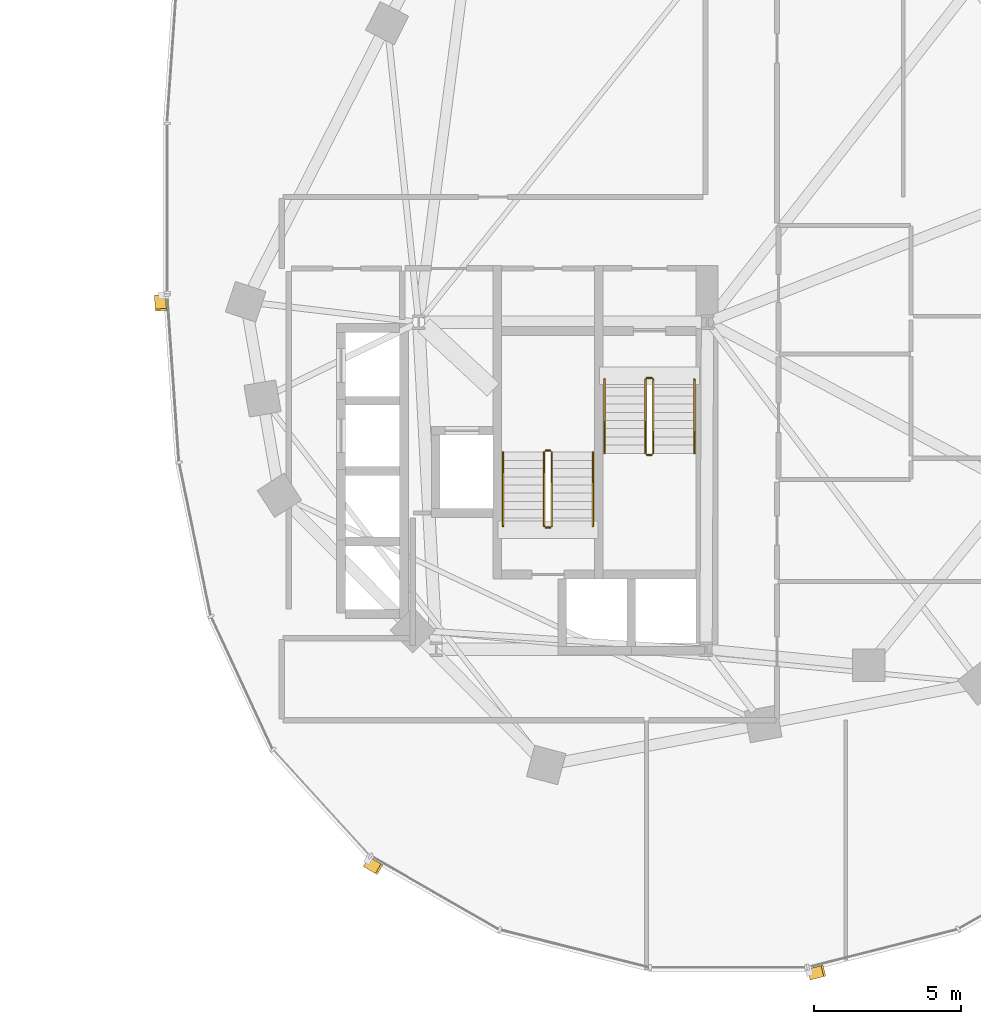
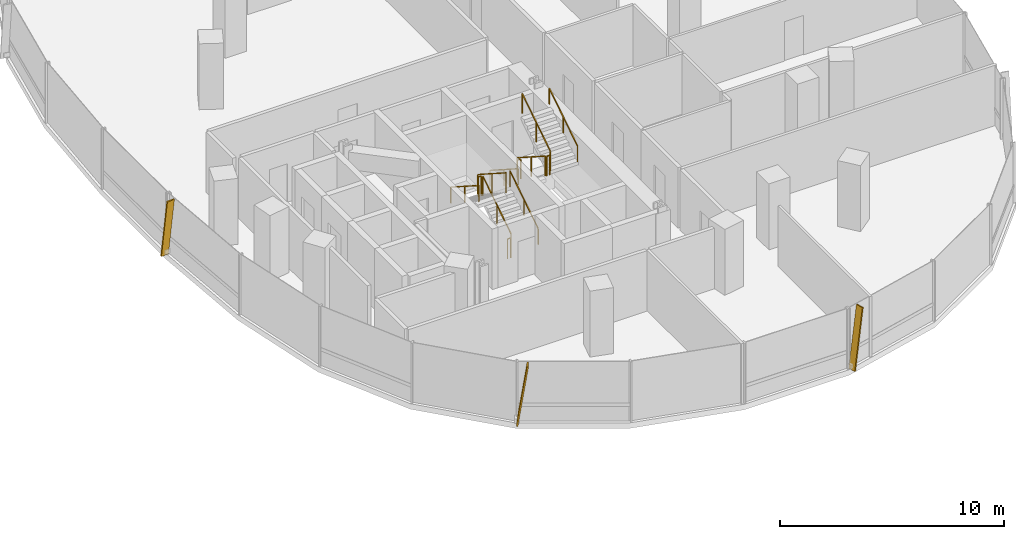
# One storey, part 20 of 21: 12 railings, 3 shading devices.
"""IFC4 building model written with IfcOpenShell, lengths in metres."""

from ifc_helpers import new_model, si_unit, direction, frame, origin, origin_2d, place, context, subcontext, project, spatial, rectangle, extrude, material, material_profile, profile_set, type_object, element, save


model = new_model("IFC4")

# Units and contexts
model_context = context("Model", 3, precision=1e-05, world=origin(), true_north=direction((0.0, 1.0)))
body_context = subcontext(model_context, "Body", "Model", "MODEL_VIEW")
ifc_project = project(units=[si_unit("LENGTHUNIT", "METRE"), si_unit("AREAUNIT", "SQUARE_METRE"), si_unit("VOLUMEUNIT", "CUBIC_METRE"), si_unit("PLANEANGLEUNIT", "RADIAN"), si_unit("MASSUNIT", "GRAM", prefix="KILO"), si_unit("THERMODYNAMICTEMPERATUREUNIT", "KELVIN"), si_unit("POWERUNIT", "WATT")], contexts=[model_context])

# Site, building, storey
site_placement = place(None, origin())
site = spatial("IfcSite", under=ifc_project, at=site_placement, CompositionType="ELEMENT")
building_placement = place(site_placement, origin())
building = spatial("IfcBuilding", under=site, at=building_placement, Name="Cundina Bronze Exchange", CompositionType="ELEMENT")
storey_placement = place(building_placement, frame((0.0, 0.0, 89.0)))
storey = spatial("IfcBuildingStorey", under=building, at=storey_placement, Name="L22", CompositionType="ELEMENT", Elevation=89.0)

# Railings
ifc_material_1 = material(Name="Steel ASTM A36 Painted", Category="steel")
railing_type_1 = type_object("IfcRailingType", Name="RLG-HND-900", PredefinedType="HANDRAIL", material=ifc_material_1)
railing_1_placement = place(storey_placement, frame((27.7900390625, -5.85009765625, 0.179931640625)))
element("IfcRailing", 1, at=railing_1_placement, inside=storey, type_object=railing_type_1, Name="L22 ST-E1 stair handrail 1", PredefinedType="HANDRAIL", context=body_context, shape_type="SweptSolid", body=[
    extrude(rectangle(XDim=0.048095703125, YDim=0.048095703125, at=origin_2d()), frame((0.0, 0.0, 0.8759765625), z_axis=(0.0, -0.841162588446, 0.540782303519), x_axis=(1.0, 0.0, 0.0)), (0.0, 0.0, 1.0), 2.995849609375),
    extrude(rectangle(XDim=0.0419921875, YDim=0.0419921875, at=origin_2d()), origin(), (0.0, 0.0, 1.0), 0.851806640625),
    extrude(rectangle(XDim=0.0419921875, YDim=0.0419921875, at=origin_2d()), frame((0.0, -1.260009765625, 0.81005859375)), (0.0, 0.0, 1.0), 0.851806640625),
    extrude(rectangle(XDim=0.0419921875, YDim=0.0419921875, at=origin_2d()), frame((0.0, -2.52001953125, 1.6201171875)), (0.0, 0.0, 1.0), 0.851806640625),
])
for number, where, name in (
    (2, (30.85009765625, -8.3701171875, 1.97998046875), "L22 ST-E1 stair handrail 2"),
    (3, (27.389892578125, -10.85009765625, 0.179931640625), "L22 ST-E2 stair handrail 1"),
):
    element("IfcRailing", number, at=place(storey_placement, frame(where)), inside=storey, type_object=railing_type_1, Name=name, PredefinedType="HANDRAIL", context=body_context, shape_type="SweptSolid", body=[
        extrude(rectangle(XDim=0.048095703125, YDim=0.048095703125, at=origin_2d()), frame((0.0, 0.0, 0.8759765625), z_axis=(0.0, 0.841162588446, 0.540782303519), x_axis=(-1.0, 0.0, 0.0)), (0.0, 0.0, 1.0), 2.995849609375),
        extrude(rectangle(XDim=0.0419921875, YDim=0.0419921875, at=origin_2d()), origin(), (0.0, 0.0, 1.0), 0.851806640625),
        extrude(rectangle(XDim=0.0419921875, YDim=0.0419921875, at=origin_2d()), frame((0.0, 1.260009765625, 0.81005859375)), (0.0, 0.0, 1.0), 0.851806640625),
        extrude(rectangle(XDim=0.0419921875, YDim=0.0419921875, at=origin_2d()), frame((0.0, 2.52001953125, 1.6201171875)), (0.0, 0.0, 1.0), 0.851806640625),
    ])
railing_2_placement = place(storey_placement, frame((24.330078125, -8.330078125, 1.97998046875)))
element("IfcRailing", 4, at=railing_2_placement, inside=storey, type_object=railing_type_1, Name="L22 ST-E2 stair handrail 2", PredefinedType="HANDRAIL", context=body_context, shape_type="SweptSolid", body=[
    extrude(rectangle(XDim=0.048095703125, YDim=0.048095703125, at=origin_2d()), frame((0.0, 0.0, 0.8759765625), z_axis=(0.0, -0.841162588446, 0.540782303519), x_axis=(1.0, 0.0, 0.0)), (0.0, 0.0, 1.0), 2.995849609375),
    extrude(rectangle(XDim=0.0419921875, YDim=0.0419921875, at=origin_2d()), origin(), (0.0, 0.0, 1.0), 0.851806640625),
    extrude(rectangle(XDim=0.0419921875, YDim=0.0419921875, at=origin_2d()), frame((0.0, -1.260009765625, 0.81005859375)), (0.0, 0.0, 1.0), 0.851806640625),
    extrude(rectangle(XDim=0.0419921875, YDim=0.0419921875, at=origin_2d()), frame((0.0, -2.52001953125, 1.6201171875)), (0.0, 0.0, 1.0), 0.851806640625),
])
railing_type_2 = type_object("IfcRailingType", Name="RLG-STG-1100", PredefinedType="GUARDRAIL", material=ifc_material_1)
railing_3_placement = place(storey_placement, frame((29.18994140625, -5.85009765625, 0.179931640625)))
element("IfcRailing", 5, at=railing_3_placement, inside=storey, type_object=railing_type_2, Name="L22 ST-E1 stair guard 1", PredefinedType="GUARDRAIL", context=body_context, shape_type="SweptSolid", body=[
    extrude(rectangle(XDim=0.048095703125, YDim=0.048095703125, at=origin_2d()), frame((0.0, 0.0, 1.076171875), z_axis=(0.0, -0.841162588446, 0.540782303519), x_axis=(1.0, 0.0, 0.0)), (0.0, 0.0, 1.0), 2.995849609375),
    extrude(rectangle(XDim=0.0419921875, YDim=0.0419921875, at=origin_2d()), origin(), (0.0, 0.0, 1.0), 1.052001953125),
    extrude(rectangle(XDim=0.0419921875, YDim=0.0419921875, at=origin_2d()), frame((0.0, -1.260009765625, 0.81005859375)), (0.0, 0.0, 1.0), 1.052001953125),
    extrude(rectangle(XDim=0.0419921875, YDim=0.0419921875, at=origin_2d()), frame((0.0, -2.52001953125, 1.6201171875)), (0.0, 0.0, 1.0), 1.052001953125),
])
railing_4_placement = place(storey_placement, frame((29.239990234375, -8.419921875, 1.800048828125)))
element("IfcRailing", 6, at=railing_4_placement, inside=storey, type_object=railing_type_2, Name="L22 ST-E1 stair guard 2", PredefinedType="GUARDRAIL", context=body_context, shape_type="SweptSolid", body=[
    extrude(rectangle(XDim=0.048095703125, YDim=0.048095703125, at=origin_2d()), frame((0.0, 0.0, 1.076171875), z_axis=(1.0, 0.0, 0.0), x_axis=(0.0, 1.0, 0.0)), (0.0, 0.0, 1.0), 0.159912109375),
    extrude(rectangle(XDim=0.0419921875, YDim=0.0419921875, at=origin_2d()), origin(), (0.0, 0.0, 1.0), 1.052001953125),
    extrude(rectangle(XDim=0.0419921875, YDim=0.0419921875, at=origin_2d()), frame((0.159912109375, 0.0, 0.0)), (0.0, 0.0, 1.0), 1.052001953125),
])
railing_5_placement = place(storey_placement, frame((29.449951171875, -8.3701171875, 1.97998046875)))
element("IfcRailing", 7, at=railing_5_placement, inside=storey, type_object=railing_type_2, Name="L22 ST-E1 stair guard 3", PredefinedType="GUARDRAIL", context=body_context, shape_type="SweptSolid", body=[
    extrude(rectangle(XDim=0.048095703125, YDim=0.048095703125, at=origin_2d()), frame((0.0, 0.0, 1.076171875), z_axis=(0.0, 0.841162588446, 0.540782303519), x_axis=(-1.0, 0.0, 0.0)), (0.0, 0.0, 1.0), 2.995849609375),
    extrude(rectangle(XDim=0.0419921875, YDim=0.0419921875, at=origin_2d()), origin(), (0.0, 0.0, 1.0), 1.052001953125),
    extrude(rectangle(XDim=0.0419921875, YDim=0.0419921875, at=origin_2d()), frame((0.0, 1.260009765625, 0.81005859375)), (0.0, 0.0, 1.0), 1.052001953125),
    extrude(rectangle(XDim=0.0419921875, YDim=0.0419921875, at=origin_2d()), frame((0.0, 2.52001953125, 1.6201171875)), (0.0, 0.0, 1.0), 1.052001953125),
])
railing_6_placement = place(storey_placement, frame((29.239990234375, -5.800048828125, 0.0)))
element("IfcRailing", 8, at=railing_6_placement, inside=storey, type_object=railing_type_2, Name="L22 ST-E1 stair guard 4", PredefinedType="GUARDRAIL", context=body_context, shape_type="SweptSolid", body=[
    extrude(rectangle(XDim=0.048095703125, YDim=0.048095703125, at=origin_2d()), frame((0.0, 0.0, 1.076171875), z_axis=(1.0, 0.0, 0.0), x_axis=(0.0, 1.0, 0.0)), (0.0, 0.0, 1.0), 0.159912109375),
    extrude(rectangle(XDim=0.0419921875, YDim=0.0419921875, at=origin_2d()), origin(), (0.0, 0.0, 1.0), 1.052001953125),
    extrude(rectangle(XDim=0.0419921875, YDim=0.0419921875, at=origin_2d()), frame((0.159912109375, 0.0, 0.0)), (0.0, 0.0, 1.0), 1.052001953125),
])
railing_7_placement = place(storey_placement, frame((25.989990234375, -10.85009765625, 0.179931640625)))
element("IfcRailing", 9, at=railing_7_placement, inside=storey, type_object=railing_type_2, Name="L22 ST-E2 stair guard 1", PredefinedType="GUARDRAIL", context=body_context, shape_type="SweptSolid", body=[
    extrude(rectangle(XDim=0.048095703125, YDim=0.048095703125, at=origin_2d()), frame((0.0, 0.0, 1.076171875), z_axis=(0.0, 0.841162588446, 0.540782303519), x_axis=(-1.0, 0.0, 0.0)), (0.0, 0.0, 1.0), 2.995849609375),
    extrude(rectangle(XDim=0.0419921875, YDim=0.0419921875, at=origin_2d()), origin(), (0.0, 0.0, 1.0), 1.052001953125),
    extrude(rectangle(XDim=0.0419921875, YDim=0.0419921875, at=origin_2d()), frame((0.0, 1.260009765625, 0.81005859375)), (0.0, 0.0, 1.0), 1.052001953125),
    extrude(rectangle(XDim=0.0419921875, YDim=0.0419921875, at=origin_2d()), frame((0.0, 2.52001953125, 1.6201171875)), (0.0, 0.0, 1.0), 1.052001953125),
])
railing_8_placement = place(storey_placement, frame((25.93994140625, -8.280029296875, 1.800048828125)))
element("IfcRailing", 10, at=railing_8_placement, inside=storey, type_object=railing_type_2, Name="L22 ST-E2 stair guard 2", PredefinedType="GUARDRAIL", context=body_context, shape_type="SweptSolid", body=[
    extrude(rectangle(XDim=0.048095703125, YDim=0.048095703125, at=origin_2d()), frame((0.0, 0.0, 1.076171875), z_axis=(-1.0, 0.0, 0.0), x_axis=(0.0, -1.0, 0.0)), (0.0, 0.0, 1.0), 0.159912109375),
    extrude(rectangle(XDim=0.0419921875, YDim=0.0419921875, at=origin_2d()), origin(), (0.0, 0.0, 1.0), 1.052001953125),
    extrude(rectangle(XDim=0.0419921875, YDim=0.0419921875, at=origin_2d()), frame((-0.159912109375, 0.0, 0.0)), (0.0, 0.0, 1.0), 1.052001953125),
])
railing_9_placement = place(storey_placement, frame((25.72998046875, -8.330078125, 1.97998046875)))
element("IfcRailing", 11, at=railing_9_placement, inside=storey, type_object=railing_type_2, Name="L22 ST-E2 stair guard 3", PredefinedType="GUARDRAIL", context=body_context, shape_type="SweptSolid", body=[
    extrude(rectangle(XDim=0.048095703125, YDim=0.048095703125, at=origin_2d()), frame((0.0, 0.0, 1.076171875), z_axis=(0.0, -0.841162588446, 0.540782303519), x_axis=(1.0, 0.0, 0.0)), (0.0, 0.0, 1.0), 2.995849609375),
    extrude(rectangle(XDim=0.0419921875, YDim=0.0419921875, at=origin_2d()), origin(), (0.0, 0.0, 1.0), 1.052001953125),
    extrude(rectangle(XDim=0.0419921875, YDim=0.0419921875, at=origin_2d()), frame((0.0, -1.260009765625, 0.81005859375)), (0.0, 0.0, 1.0), 1.052001953125),
    extrude(rectangle(XDim=0.0419921875, YDim=0.0419921875, at=origin_2d()), frame((0.0, -2.52001953125, 1.6201171875)), (0.0, 0.0, 1.0), 1.052001953125),
])
railing_10_placement = place(storey_placement, frame((25.93994140625, -10.89990234375, 0.0)))
element("IfcRailing", 12, at=railing_10_placement, inside=storey, type_object=railing_type_2, Name="L22 ST-E2 stair guard 4", PredefinedType="GUARDRAIL", context=body_context, shape_type="SweptSolid", body=[
    extrude(rectangle(XDim=0.048095703125, YDim=0.048095703125, at=origin_2d()), frame((0.0, 0.0, 1.076171875), z_axis=(-1.0, 0.0, 0.0), x_axis=(0.0, -1.0, 0.0)), (0.0, 0.0, 1.0), 0.159912109375),
    extrude(rectangle(XDim=0.0419921875, YDim=0.0419921875, at=origin_2d()), origin(), (0.0, 0.0, 1.0), 1.052001953125),
    extrude(rectangle(XDim=0.0419921875, YDim=0.0419921875, at=origin_2d()), frame((-0.159912109375, 0.0, 0.0)), (0.0, 0.0, 1.0), 1.052001953125),
])

# Shading devices
ifc_material_2 = material(Name="Anodised Bronze Aluminium 6063-T6", Category="aluminium")
ifc_material_profile = material_profile(ifc_material_2, rectangle(XDim=0.070068359375, YDim=0.3798828125, at=origin_2d()), Name="FIN70X380", Category="aluminium")
ifc_profile_set = profile_set([ifc_material_profile], Name="Anodised Bronze Aluminium 6063-T6")
shading_device_type = type_object("IfcShadingDeviceType", Name="SHD-FIN-BRZ380", PredefinedType="USERDEFINED", material=ifc_profile_set)
for number, where, z_axis, x_axis, name in (
    (13, (12.6259765625, -2.993896484375, 0.02001953125), (0.010224545828, -0.145292278041, 0.989335945271), (-0.069450050635, 0.986895284755, 0.145651595925), "L22 Diagonal Bronze Solar Fin 1"),
    (14, (19.685791015625, -22.314208984375, 0.02001953125), (0.126324692219, -0.072534823274, 0.989333498649), (-0.857958278167, 0.492634108109, 0.145668213594), "L22 Diagonal Bronze Solar Fin 5"),
    (15, (34.787353515625, -26.138427734375, 0.02001953125), (0.141217047268, 0.035711761166, 0.989334329575), (-0.95914051701, -0.242552848478, 0.145662570088), "L22 Diagonal Bronze Solar Fin 1"),
):
    element("IfcShadingDevice", number, at=place(storey_placement, frame(where, z_axis=z_axis, x_axis=x_axis)), inside=storey, type_object=shading_device_type, Name=name, ObjectType="FIN", PredefinedType="USERDEFINED", context=body_context, shape_type="SweptSolid", body=[
        extrude(rectangle(XDim=0.070068359375, YDim=0.3798828125, at=origin_2d()), origin(), (0.0, 0.0, 1.0), 3.295166015625),
    ])

save(model, "model.ifc")
